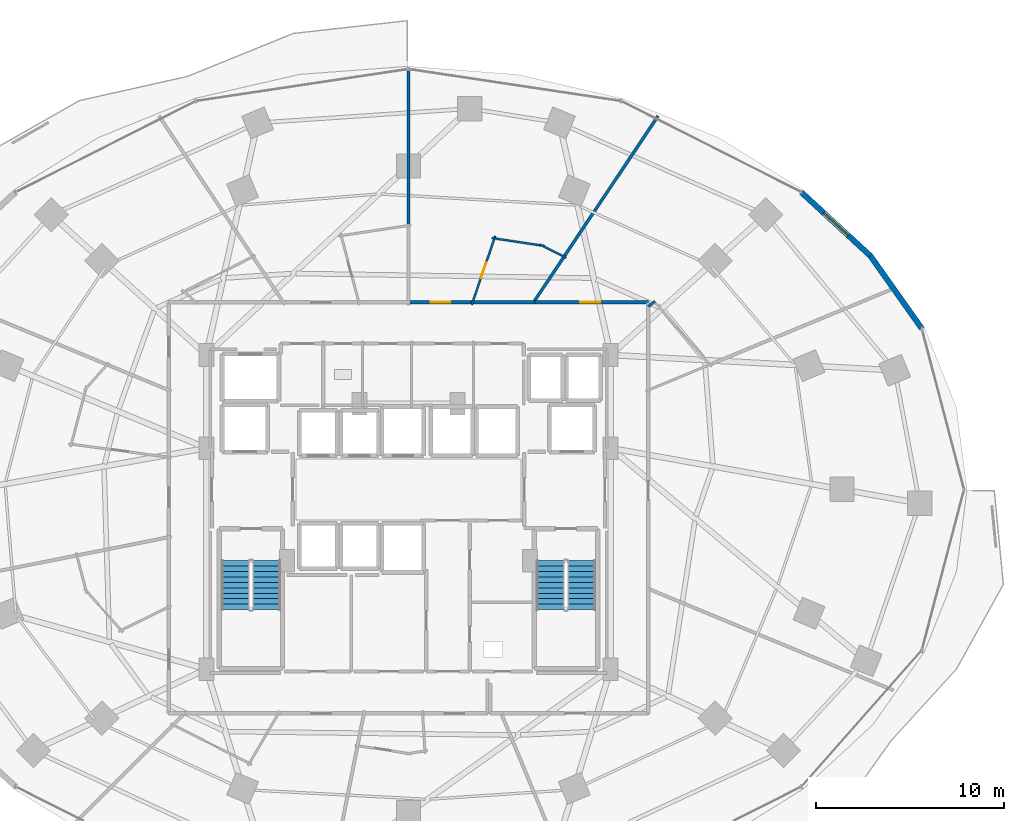
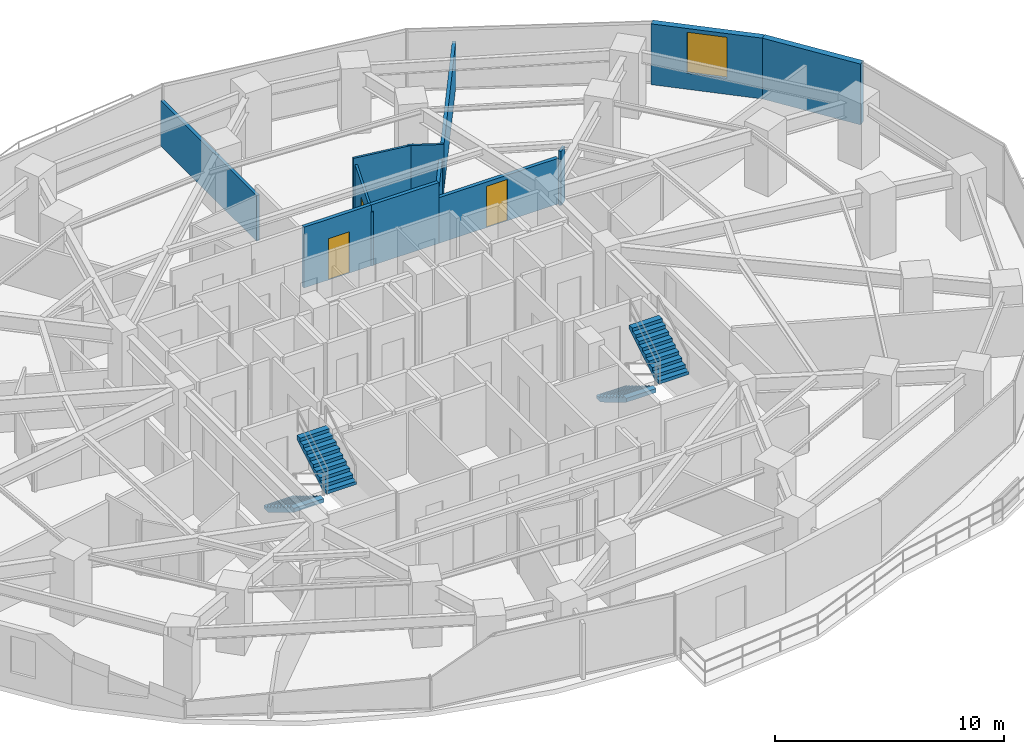
# One storey, part 31 of 35: 11 walls, 4 stair flights, 3 doors, 1 window, 4 openings, 2 elements without a shape of their own.
"""IFC4 building model written with IfcOpenShell, lengths in metres."""

from ifc_helpers import new_model, si_unit, direction, frame, frame_2d, origin, place, context, subcontext, project, spatial, polyline, rectangle, outline, extrude, material, layer, layer_set, type_object, element, fill, aggregate, save


model = new_model("IFC4")

# Units and contexts
model_context = context("Model", 3, precision=1e-05, world=origin(), true_north=direction((0.0, 1.0)))
body_context = subcontext(model_context, "Body", "Model", "MODEL_VIEW")
ifc_project = project(units=[si_unit("LENGTHUNIT", "METRE"), si_unit("AREAUNIT", "SQUARE_METRE"), si_unit("VOLUMEUNIT", "CUBIC_METRE"), si_unit("PLANEANGLEUNIT", "RADIAN"), si_unit("MASSUNIT", "GRAM", prefix="KILO")], contexts=[model_context])

# Site, building, storey
site_placement = place(None, origin())
site = spatial("IfcSite", under=ifc_project, at=site_placement, CompositionType="ELEMENT")
building_placement = place(site_placement, origin())
building = spatial("IfcBuilding", under=site, at=building_placement, Name="Vorneva Point Tower", CompositionType="ELEMENT")
storey_placement = place(building_placement, frame((0.0, 0.0, 45.0)))
storey = spatial("IfcBuildingStorey", under=building, at=storey_placement, Name="L11", CompositionType="ELEMENT", Elevation=45.0)

# Wall
ifc_material_1 = material(Name="Precast concrete B50 (C40/50)", Category="concrete")
ifc_layer_1 = layer(ifc_material_1, 0.300048828125)
ifc_layer_set_1 = layer_set([ifc_layer_1], Name="Precast concrete B50 (C40/50)")
wall_type_1 = type_object("IfcWallType", Name="WL-EXT-300", PredefinedType="STANDARD", material=ifc_layer_set_1)
wall_1_placement = place(storey_placement, frame((65.300537109375, 34.552978515625, 0.0), z_axis=(0.0, 0.0, 1.0), x_axis=(-0.577130815624, 0.816651713803, 0.0)))
element("IfcWall", 1, at=wall_1_placement, inside=storey, type_object=wall_type_1, Name="L11 Pale-Metal Facade Spandrel Wall 02.1", PredefinedType="STANDARD", context=body_context, shape_type="SweptSolid", body=[
    extrude(rectangle(XDim=4.7314453125, YDim=0.300048828125, at=frame_2d((2.36572265625, 0.0))), origin(), (0.0, 0.0, 1.0), 3.239990234375),
])

# Wall, opening, window
wall_2_placement = place(storey_placement, frame((62.56982421875, 38.4169921875, 0.0), z_axis=(0.0, 0.0, 1.0), x_axis=(-0.735342629635, 0.677695519419, 0.0)))
wall_2 = element("IfcWall", 2, at=wall_2_placement, inside=storey, type_object=wall_type_1, Name="L11 Pale-Metal Facade Spandrel Wall 02.2", PredefinedType="STANDARD", context=body_context, shape_type="SweptSolid", body=[
    extrude(rectangle(XDim=4.997314453125, YDim=0.300048828125, at=frame_2d((2.49853515625, 0.0))), origin(), (0.0, 0.0, 1.0), 3.239990234375),
])
opening_1_placement = place(wall_2_placement, frame((1.598876953125, 0.0, 0.85009765625)))
opening_1 = element("IfcOpeningElement", 3, at=opening_1_placement, cuts=wall_2, Name="Opening W-01", PredefinedType="OPENING", context=body_context, shape_type="SweptSolid", body=[
    extrude(rectangle(XDim=1.800048828125, YDim=2.18994140625, at=frame_2d((0.89990234375, 1.094970703125))), frame((0.0, 0.1650390625, 0.0), z_axis=(0.0, -1.0, 0.0), x_axis=(1.0, 0.0, 0.0)), (0.0, 0.0, 1.0), 0.329833984375),
])
ifc_material_2 = material(Name="Double low-e laminated glass IGU", Category="glass")
window_type = type_object("IfcWindowType", Name="WN-LOG-1800", PartitioningType="SINGLE_PANEL", PredefinedType="WINDOW", material=ifc_material_2)
window_placement = place(opening_1_placement, origin())
window = element("IfcWindow", 4, at=window_placement, inside=storey, type_object=window_type, Name="L11 Facade Window 02", OverallHeight=2.18994140625, OverallWidth=1.800048828125, PartitioningType="SINGLE_PANEL", PredefinedType="WINDOW", context=body_context, shape_type="SweptSolid", body=[
    extrude(rectangle(XDim=1.800048828125, YDim=2.18994140625, at=frame_2d((0.89990234375, 1.094970703125))), frame((0.0, 0.030029296875, 0.0), z_axis=(0.0, -1.0, 0.0), x_axis=(1.0, 0.0, 0.0)), (0.0, 0.0, 1.0), 0.06005859375),
])
fill(opening_1, window)

# Walls
ifc_material_3 = material(Name="Fire-rated acoustic gypsum stud partition", Category="gypsum")
ifc_layer_2 = layer(ifc_material_3, 0.110107421875)
ifc_layer_set_2 = layer_set([ifc_layer_2], Name="Fire-rated acoustic gypsum stud partition")
wall_type_2 = type_object("IfcWallType", Name="WL-PART-110", PredefinedType="PARTITIONING", material=ifc_layer_set_2)
wall_3_placement = place(storey_placement, frame((42.431640625, 39.369873046875, 0.0), z_axis=(0.0, 0.0, 1.0), x_axis=(0.988877663763, -0.148731187416, 0.0)))
element("IfcWall", 5, at=wall_3_placement, inside=storey, type_object=wall_type_2, Name="L11 Interior Partition 056", PredefinedType="PARTITIONING", context=body_context, shape_type="SweptSolid", body=[
    extrude(rectangle(XDim=2.84130859375, YDim=0.110107421875, at=frame_2d((1.420654296875, 0.0))), origin(), (0.0, 0.0, 1.0), 3.239990234375),
])
wall_4_placement = place(storey_placement, frame((44.97802734375, 39.03125, 0.0), z_axis=(0.0, 0.0, 1.0), x_axis=(0.892388427115, -0.451268096758, 0.0)))
element("IfcWall", 6, at=wall_4_placement, inside=storey, type_object=wall_type_2, Name="L11 Interior Partition 057", PredefinedType="PARTITIONING", context=body_context, shape_type="SweptSolid", body=[
    extrude(rectangle(XDim=1.587890625, YDim=0.110107421875, at=frame_2d((0.7939453125, 0.0))), origin(), (0.0, 0.0, 1.0), 3.239990234375),
])

# Wall, opening, door
wall_5_placement = place(storey_placement, frame((41.36181640625, 35.8173828125, 0.0), z_axis=(0.0, 0.0, 1.0), x_axis=(0.323669856167, 0.946170082072, 0.0)))
wall_5 = element("IfcWall", 7, at=wall_5_placement, inside=storey, type_object=wall_type_2, Name="L11 Interior Partition 058", PredefinedType="PARTITIONING", context=body_context, shape_type="SweptSolid", body=[
    extrude(rectangle(XDim=3.87255859375, YDim=0.110107421875, at=frame_2d((1.936279296875, 0.0))), origin(), (0.0, 0.0, 1.0), 2.885986328125),
])
opening_2_placement = place(wall_5_placement, frame((1.51123046875, 0.0, 0.0)))
opening_2 = element("IfcOpeningElement", 8, at=opening_2_placement, cuts=wall_5, Name="Opening ID-02", PredefinedType="OPENING", context=body_context, shape_type="SweptSolid", body=[
    extrude(rectangle(XDim=0.85009765625, YDim=2.10009765625, at=frame_2d((0.425048828125, 1.050048828125))), frame((0.0, 0.06982421875, 0.0), z_axis=(0.0, -1.0, 0.0), x_axis=(1.0, 0.0, 0.0)), (0.0, 0.0, 1.0), 0.139892578125),
])
ifc_material_4 = material(Name="Engineered oak fire-rated door leaf", Category="wood")
door_type_1 = type_object("IfcDoorType", Name="DR-BATH-850", OperationType="NOTDEFINED", PredefinedType="DOOR", material=ifc_material_4)
door_1_placement = place(opening_2_placement, origin())
door_1 = element("IfcDoor", 9, at=door_1_placement, inside=storey, type_object=door_type_1, Name="L11 Door Junior Suite L11-02 / En-Suite Bathroom L11-02", OperationType="SINGLE_SWING_RIGHT", OverallHeight=2.10009765625, OverallWidth=0.85009765625, PredefinedType="DOOR", context=body_context, shape_type="SweptSolid", body=[
    extrude(rectangle(XDim=0.85009765625, YDim=2.10009765625, at=frame_2d((0.425048828125, 1.050048828125))), frame((0.0, 0.02490234375, 0.0), z_axis=(0.0, -1.0, 0.0), x_axis=(1.0, 0.0, 0.0)), (0.0, 0.0, 1.0), 0.050048828125),
])
fill(opening_2, door_1)

# Walls
ifc_layer_3 = layer(ifc_material_3, 0.139892578125)
ifc_layer_set_3 = layer_set([ifc_layer_3], Name="Fire-rated acoustic gypsum stud partition")
wall_type_3 = type_object("IfcWallType", Name="WL-PART-140", PredefinedType="PARTITIONING", material=ifc_layer_set_3)
wall_6_placement = place(storey_placement, frame((51.09912109375, 35.9970703125, 0.0), z_axis=(0.0, 0.0, 1.0), x_axis=(-0.794185002189, -0.607676050456, 0.0)))
element("IfcWall", 10, at=wall_6_placement, inside=storey, type_object=wall_type_3, Name="L11 Interior Closure Partition 109", PredefinedType="PARTITIONING", context=body_context, shape_type="SweptSolid", body=[
    extrude(rectangle(XDim=0.441162109375, YDim=0.139892578125, at=frame_2d((0.220703125, 0.0))), origin(), (0.0, 0.0, 1.0), 2.885986328125),
])
ifc_layer_4 = layer(ifc_material_3, 0.159912109375)
ifc_layer_set_4 = layer_set([ifc_layer_4], Name="Fire-rated acoustic gypsum stud partition")
wall_type_4 = type_object("IfcWallType", Name="WL-PART-160", PredefinedType="PARTITIONING", material=ifc_layer_set_4)
wall_7_placement = place(storey_placement, frame((51.26708984375, 45.85595703125, 0.0), z_axis=(0.0, 0.0, 1.0), x_axis=(-0.55557946655, -0.831463442581, 0.0)))
element("IfcWall", 11, at=wall_7_placement, inside=storey, type_object=wall_type_4, Name="L11 Interior Partition 054", PredefinedType="PARTITIONING", context=body_context, shape_type="SweptSolid", body=[
    extrude(rectangle(XDim=11.913818359375, YDim=0.159912109375, at=frame_2d((5.95703125, 0.0))), origin(), (0.0, 0.0, 1.0), 2.431884765625),
])
wall_8_placement = place(storey_placement, frame((38.0, 48.35009765625, 0.0), z_axis=(0.0, 0.0, 1.0), x_axis=(0.0, -1.0, 0.0)))
element("IfcWall", 12, at=wall_8_placement, inside=storey, type_object=wall_type_4, Name="L11 Interior Partition 059", PredefinedType="PARTITIONING", context=body_context, shape_type="SweptSolid", body=[
    extrude(rectangle(XDim=8.375, YDim=0.159912109375, at=frame_2d((4.1875, 0.0))), origin(), (0.0, 0.0, 1.0), 2.431884765625),
])

# Wall, opening, door
ifc_material_5 = material(Name="Autoclaved aerated concrete blockwork", Category="masonry")
ifc_layer_5 = layer(ifc_material_5, 0.179931640625)
ifc_layer_set_5 = layer_set([ifc_layer_5], Name="Autoclaved aerated concrete blockwork")
wall_type_5 = type_object("IfcWallType", Name="WL-PART-180", PredefinedType="PARTITIONING", material=ifc_layer_set_5)
wall_9_placement = place(storey_placement, frame((50.75, 35.949951171875, 0.0), z_axis=(0.0, 0.0, 1.0), x_axis=(-1.0, 0.0, 0.0)))
wall_9 = element("IfcWall", 13, at=wall_9_placement, inside=storey, type_object=wall_type_5, Name="L11 Interior Partition 028", PredefinedType="PARTITIONING", context=body_context, shape_type="SweptSolid", body=[
    extrude(rectangle(XDim=6.162109375, YDim=0.179931640625, at=frame_2d((3.0810546875, 0.0))), origin(), (0.0, 0.0, 1.0), 2.431884765625),
])
opening_3_placement = place(wall_9_placement, frame((2.555908203125, 0.0, 0.0)))
opening_3 = element("IfcOpeningElement", 14, at=opening_3_placement, cuts=wall_9, Name="Opening UD-02", PredefinedType="OPENING", context=body_context, shape_type="SweptSolid", body=[
    extrude(rectangle(XDim=1.050048828125, YDim=2.199951171875, at=frame_2d((0.52490234375, 1.10009765625))), frame((0.0, 0.10498046875, 0.0), z_axis=(0.0, -1.0, 0.0), x_axis=(1.0, 0.0, 0.0)), (0.0, 0.0, 1.0), 0.209716796875),
])
door_type_2 = type_object("IfcDoorType", Name="DR-SUITE-1050", OperationType="NOTDEFINED", PredefinedType="DOOR", material=ifc_material_4)
door_2_placement = place(opening_3_placement, origin())
door_2 = element("IfcDoor", 15, at=door_2_placement, inside=storey, type_object=door_type_2, Name="L11 Door L11 Circulation Corridor / Corner Suite L11-01", OperationType="SINGLE_SWING_LEFT", OverallHeight=2.199951171875, OverallWidth=1.050048828125, PredefinedType="DOOR", context=body_context, shape_type="SweptSolid", body=[
    extrude(rectangle(XDim=1.050048828125, YDim=2.199951171875, at=frame_2d((0.52490234375, 1.10009765625))), frame((0.0, 0.02490234375, 0.0), z_axis=(0.0, -1.0, 0.0), x_axis=(1.0, 0.0, 0.0)), (0.0, 0.0, 1.0), 0.050048828125),
])
fill(opening_3, door_2)

wall_10_placement = place(storey_placement, frame((41.469970703125, 35.949951171875, 0.0), z_axis=(0.0, 0.0, 1.0), x_axis=(-1.0, 0.0, 0.0)))
wall_10 = element("IfcWall", 16, at=wall_10_placement, inside=storey, type_object=wall_type_5, Name="L11 Interior Partition 030", PredefinedType="PARTITIONING", context=body_context, shape_type="SweptSolid", body=[
    extrude(rectangle(XDim=3.530029296875, YDim=0.179931640625, at=frame_2d((1.76513671875, 0.0))), origin(), (0.0, 0.0, 1.0), 3.239990234375),
])
opening_4_placement = place(wall_10_placement, frame((1.239990234375, 0.0, 0.0)))
opening_4 = element("IfcOpeningElement", 17, at=opening_4_placement, cuts=wall_10, Name="Opening UD-02", PredefinedType="OPENING", context=body_context, shape_type="SweptSolid", body=[
    extrude(rectangle(XDim=1.050048828125, YDim=2.199951171875, at=frame_2d((0.52490234375, 1.10009765625))), frame((0.0, 0.10498046875, 0.0), z_axis=(0.0, -1.0, 0.0), x_axis=(1.0, 0.0, 0.0)), (0.0, 0.0, 1.0), 0.209716796875),
])
door_3_placement = place(opening_4_placement, origin())
door_3 = element("IfcDoor", 18, at=door_3_placement, inside=storey, type_object=door_type_2, Name="L11 Door L11 Circulation Corridor / Junior Suite L11-02", OperationType="SINGLE_SWING_RIGHT", OverallHeight=2.199951171875, OverallWidth=1.050048828125, PredefinedType="DOOR", context=body_context, shape_type="SweptSolid", body=[
    extrude(rectangle(XDim=1.050048828125, YDim=2.199951171875, at=frame_2d((0.52490234375, 1.10009765625))), frame((0.0, 0.02490234375, 0.0), z_axis=(0.0, -1.0, 0.0), x_axis=(1.0, 0.0, 0.0)), (0.0, 0.0, 1.0), 0.050048828125),
])
fill(opening_4, door_3)

# Wall
wall_11_placement = place(storey_placement, frame((44.72802734375, 35.949951171875, 0.0), z_axis=(0.0, 0.0, 1.0), x_axis=(-1.0, 0.0, 0.0)))
element("IfcWall", 19, at=wall_11_placement, inside=storey, type_object=wall_type_5, Name="L11 Interior Partition 031", PredefinedType="PARTITIONING", context=body_context, shape_type="SweptSolid", body=[
    extrude(rectangle(XDim=3.39794921875, YDim=0.179931640625, at=frame_2d((1.698974609375, 0.0))), origin(), (0.0, 0.0, 1.0), 3.239990234375),
])

# Stair, stair flights
ifc_material_6 = material(Name="Concrete B50 (C40/50)", Category="concrete")
stair_type = type_object("IfcStairType", Name="ST-DOG-1500", PredefinedType="HALF_TURN_STAIR", material=ifc_material_6)
stair_1_placement = place(storey_placement, origin())
stair_1 = element("IfcStair", 20, at=stair_1_placement, inside=storey, type_object=stair_type, Name="L11 ST1", PredefinedType="HALF_TURN_STAIR")
stair_flight_type = type_object("IfcStairFlightType", Name="STF-1500", PredefinedType="STRAIGHT", material=ifc_material_6)
stair_flight_1_placement = place(storey_placement, frame((28.800048828125, 22.219970703125, 0.0), z_axis=(0.0, 0.0, 1.0), x_axis=(0.0, -1.0, 0.0)))
stair_flight_1 = element("IfcStairFlight", 21, at=stair_flight_1_placement, type_object=stair_flight_type, Name="ST1 flight 1", NumberOfRisers=10, NumberOfTreads=9, PredefinedType="STRAIGHT", RiserHeight=0.175, TreadLength=0.29, context=body_context, shape_type="SweptSolid", body=[
    extrude(outline(polyline([(0.0, 0.0), (0.0, 0.175048828125), (0.2900390625, 0.175048828125), (0.2900390625, 0.35009765625), (0.580078125, 0.35009765625), (0.580078125, 0.52490234375), (0.8701171875, 0.52490234375), (0.8701171875, 0.699951171875), (1.159912109375, 0.699951171875), (1.159912109375, 0.875), (1.449951171875, 0.875), (1.449951171875, 1.050048828125), (1.739990234375, 1.050048828125), (1.739990234375, 1.22509765625), (2.030029296875, 1.22509765625), (2.030029296875, 1.39990234375), (2.320068359375, 1.39990234375), (2.320068359375, 1.574951171875), (2.610107421875, 1.574951171875), (2.610107421875, 1.75), (2.610107421875, 1.36474609375), (0.34814453125, 0.0), (0.0, 0.0)])), frame((0.0, 0.75, 0.0), z_axis=(0.0, -1.0, 0.0), x_axis=(1.0, 0.0, 0.0)), (0.0, 0.0, 1.0), 1.5),
])
stair_flight_2_placement = place(storey_placement, frame((30.449951171875, 19.610107421875, 1.75), z_axis=(0.0, 0.0, 1.0), x_axis=(0.0, 1.0, 0.0)))
stair_flight_2 = element("IfcStairFlight", 22, at=stair_flight_2_placement, type_object=stair_flight_type, Name="ST1 flight 2", NumberOfRisers=10, NumberOfTreads=9, PredefinedType="STRAIGHT", RiserHeight=0.175, TreadLength=0.29, context=body_context, shape_type="SweptSolid", body=[
    extrude(outline(polyline([(0.0, 0.0), (0.0, 0.175048828125), (0.2900390625, 0.175048828125), (0.2900390625, 0.35009765625), (0.580078125, 0.35009765625), (0.580078125, 0.52490234375), (0.8701171875, 0.52490234375), (0.8701171875, 0.699951171875), (1.159912109375, 0.699951171875), (1.159912109375, 0.875), (1.449951171875, 0.875), (1.449951171875, 1.050048828125), (1.739990234375, 1.050048828125), (1.739990234375, 1.22509765625), (2.030029296875, 1.22509765625), (2.030029296875, 1.39990234375), (2.320068359375, 1.39990234375), (2.320068359375, 1.574951171875), (2.610107421875, 1.574951171875), (2.610107421875, 1.75), (2.610107421875, 1.36474609375), (0.34814453125, 0.0), (0.0, 0.0)])), frame((0.0, 0.75, 0.0), z_axis=(0.0, -1.0, 0.0), x_axis=(1.0, 0.0, 0.0)), (0.0, 0.0, 1.0), 1.5),
])
aggregate(stair_1, [stair_flight_1, stair_flight_2])

stair_2_placement = place(storey_placement, origin())
stair_2 = element("IfcStair", 23, at=stair_2_placement, inside=storey, type_object=stair_type, Name="L11 ST2", PredefinedType="HALF_TURN_STAIR")
stair_flight_3_placement = place(storey_placement, frame((45.550048828125, 22.219970703125, 0.0), z_axis=(0.0, 0.0, 1.0), x_axis=(0.0, -1.0, 0.0)))
stair_flight_3 = element("IfcStairFlight", 24, at=stair_flight_3_placement, type_object=stair_flight_type, Name="ST2 flight 1", NumberOfRisers=10, NumberOfTreads=9, PredefinedType="STRAIGHT", RiserHeight=0.175, TreadLength=0.29, context=body_context, shape_type="SweptSolid", body=[
    extrude(outline(polyline([(0.0, 0.0), (0.0, 0.175048828125), (0.2900390625, 0.175048828125), (0.2900390625, 0.35009765625), (0.580078125, 0.35009765625), (0.580078125, 0.52490234375), (0.8701171875, 0.52490234375), (0.8701171875, 0.699951171875), (1.159912109375, 0.699951171875), (1.159912109375, 0.875), (1.449951171875, 0.875), (1.449951171875, 1.050048828125), (1.739990234375, 1.050048828125), (1.739990234375, 1.22509765625), (2.030029296875, 1.22509765625), (2.030029296875, 1.39990234375), (2.320068359375, 1.39990234375), (2.320068359375, 1.574951171875), (2.610107421875, 1.574951171875), (2.610107421875, 1.75), (2.610107421875, 1.36474609375), (0.34814453125, 0.0), (0.0, 0.0)])), frame((0.0, 0.75, 0.0), z_axis=(0.0, -1.0, 0.0), x_axis=(1.0, 0.0, 0.0)), (0.0, 0.0, 1.0), 1.5),
])
stair_flight_4_placement = place(storey_placement, frame((47.199951171875, 19.610107421875, 1.75), z_axis=(0.0, 0.0, 1.0), x_axis=(0.0, 1.0, 0.0)))
stair_flight_4 = element("IfcStairFlight", 25, at=stair_flight_4_placement, type_object=stair_flight_type, Name="ST2 flight 2", NumberOfRisers=10, NumberOfTreads=9, PredefinedType="STRAIGHT", RiserHeight=0.175, TreadLength=0.29, context=body_context, shape_type="SweptSolid", body=[
    extrude(outline(polyline([(0.0, 0.0), (0.0, 0.175048828125), (0.2900390625, 0.175048828125), (0.2900390625, 0.35009765625), (0.580078125, 0.35009765625), (0.580078125, 0.52490234375), (0.8701171875, 0.52490234375), (0.8701171875, 0.699951171875), (1.159912109375, 0.699951171875), (1.159912109375, 0.875), (1.449951171875, 0.875), (1.449951171875, 1.050048828125), (1.739990234375, 1.050048828125), (1.739990234375, 1.22509765625), (2.030029296875, 1.22509765625), (2.030029296875, 1.39990234375), (2.320068359375, 1.39990234375), (2.320068359375, 1.574951171875), (2.610107421875, 1.574951171875), (2.610107421875, 1.75), (2.610107421875, 1.36474609375), (0.34814453125, 0.0), (0.0, 0.0)])), frame((0.0, 0.75, 0.0), z_axis=(0.0, -1.0, 0.0), x_axis=(1.0, 0.0, 0.0)), (0.0, 0.0, 1.0), 1.5),
])
aggregate(stair_2, [stair_flight_3, stair_flight_4])

save(model, "model.ifc")
